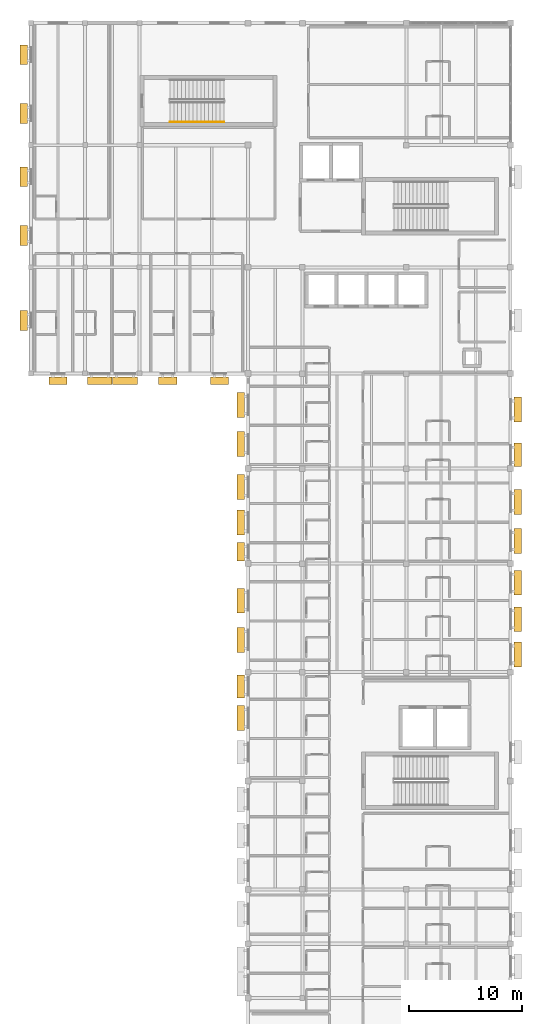
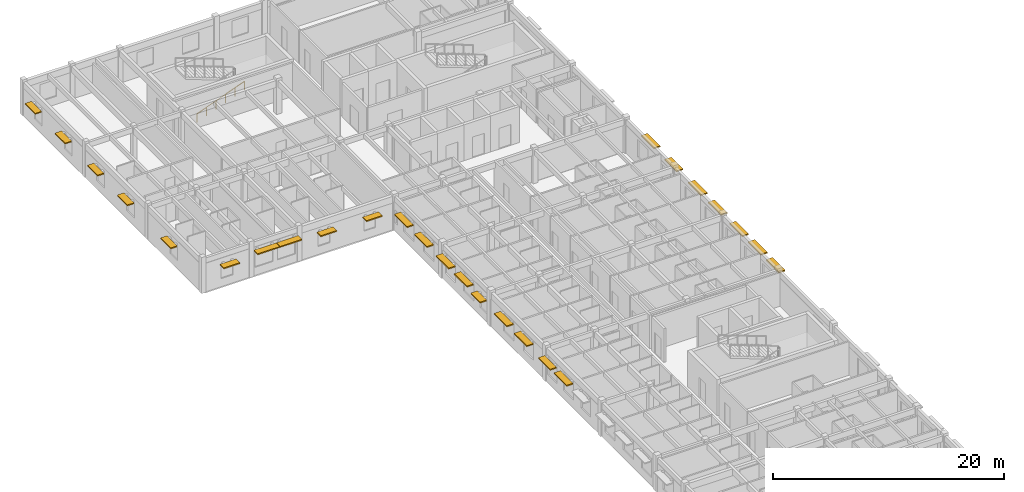
# One storey, part 19 of 20: 26 shading devices, 1 railing.
"""IFC4 building model written with IfcOpenShell, lengths in metres."""

from ifc_helpers import new_model, si_unit, direction, frame, origin, origin_2d, place, context, subcontext, project, spatial, rectangle, circle, extrude, material, type_object, element, save


model = new_model("IFC4")

# Units and contexts
model_context = context("Model", 3, precision=1e-05, world=origin(), true_north=direction((0.0, 1.0)))
body_context = subcontext(model_context, "Body", "Model", "MODEL_VIEW")
ifc_project = project(units=[si_unit("LENGTHUNIT", "METRE"), si_unit("AREAUNIT", "SQUARE_METRE"), si_unit("VOLUMEUNIT", "CUBIC_METRE"), si_unit("PLANEANGLEUNIT", "RADIAN"), si_unit("MASSUNIT", "GRAM", prefix="KILO")], contexts=[model_context])

# Site, building, storey
site_placement = place(None, origin())
site = spatial("IfcSite", under=ifc_project, at=site_placement, CompositionType="ELEMENT")
building_placement = place(site_placement, origin())
building = spatial("IfcBuilding", under=site, at=building_placement, Name="Veldera Park Congress Hotel", CompositionType="ELEMENT")
storey_placement = place(building_placement, frame((0.0, 0.0, 27.60009765625)))
storey = spatial("IfcBuildingStorey", under=building, at=storey_placement, Name="L06", CompositionType="ELEMENT", Elevation=27.60009765625)

# Railing
ifc_material_1 = material(Name="Steel ASTM A992 Gr.50", Category="steel")
railing_type = type_object("IfcRailingType", Name="HRL-920", PredefinedType="HANDRAIL", material=ifc_material_1)
railing_placement = place(storey_placement, frame((53.89990234375, 49.25, 0.12646484375)))
element("IfcRailing", 1, at=railing_placement, inside=storey, type_object=railing_type, Name="L06 ST3 stair handrail 1", PredefinedType="HANDRAIL", context=body_context, shape_type="SweptSolid", body=[
    extrude(circle(Radius=0.02392578125, at=origin_2d()), frame((0.0, 0.0, 0.89599609375), z_axis=(0.937075640343, 0.0, 0.349126401572), x_axis=(0.0, 1.0, 0.0)), (0.0, 0.0, 1.0), 5.07958984375),
    extrude(circle(Radius=0.02099609375, at=origin_2d()), origin(), (0.0, 0.0, 1.0), 0.871826171875),
    extrude(circle(Radius=0.02099609375, at=origin_2d()), frame((0.951904296875, 0.0, 0.354736328125)), (0.0, 0.0, 1.0), 0.871826171875),
    extrude(circle(Radius=0.02099609375, at=origin_2d()), frame((1.904052734375, 0.0, 0.70947265625)), (0.0, 0.0, 1.0), 0.871826171875),
    extrude(circle(Radius=0.02099609375, at=origin_2d()), frame((2.85595703125, 0.0, 1.06396484375)), (0.0, 0.0, 1.0), 0.871826171875),
    extrude(circle(Radius=0.02099609375, at=origin_2d()), frame((3.80810546875, 0.0, 1.418701171875)), (0.0, 0.0, 1.0), 0.871826171875),
    extrude(circle(Radius=0.02099609375, at=origin_2d()), frame((4.760009765625, 0.0, 1.7734375)), (0.0, 0.0, 1.0), 0.871826171875),
])

# Shading devices
ifc_material_2 = material(Name="Glulam GL28h (NDS 24F-V4)", Category="wood")
shading_device_type = type_object("IfcShadingDeviceType", Name="SHD-LVR300", PredefinedType="JALOUSIE", material=ifc_material_2)
for number, where, z_axis, x_axis, name in (
    (2, (40.965087890625, 55.184814453125, 2.519775390625), (0.0, 0.0, 1.0), (0.0, -1.0, 0.0), "Glulam Solar Shade 177"),
    (3, (40.965087890625, 50.000244140625, 2.519775390625), (0.0, 0.0, 1.0), (0.0, -1.0, 0.0), "Glulam Solar Shade 178"),
    (4, (40.965087890625, 44.39599609375, 2.519775390625), (0.0, 0.0, 1.0), (0.0, -1.0, 0.0), "Glulam Solar Shade 179"),
    (5, (40.965087890625, 39.2041015625, 2.519775390625), (0.0, 0.0, 1.0), (0.0, -1.0, 0.0), "Glulam Solar Shade 180"),
    (6, (40.965087890625, 31.70751953125, 2.519775390625), (0.0, 0.0, 1.0), (0.0, -1.0, 0.0), "Glulam Solar Shade 181"),
):
    element("IfcShadingDevice", number, at=place(storey_placement, frame(where, z_axis=z_axis, x_axis=x_axis)), inside=storey, type_object=shading_device_type, Name=name, PredefinedType="JALOUSIE", context=body_context, shape_type="SweptSolid", body=[
        extrude(rectangle(XDim=1.75, YDim=0.64990234375, at=origin_2d()), origin(), (0.0, 0.0, 1.0), 0.1201171875),
    ])
for number, where, z_axis, x_axis, name in (
    (7, (44.0, 26.364990234375, 2.419921875), (0.0, 0.0, 1.0), (1.0, 0.0, 0.0), "Glulam Solar Shade 182"),
    (8, (53.70263671875, 26.364990234375, 2.419921875), (0.0, 0.0, 1.0), (1.0, 0.0, 0.0), "Glulam Solar Shade 183"),
    (9, (58.26220703125, 26.364990234375, 2.419921875), (0.0, 0.0, 1.0), (1.0, 0.0, 0.0), "Glulam Solar Shade 184"),
):
    element("IfcShadingDevice", number, at=place(storey_placement, frame(where, z_axis=z_axis, x_axis=x_axis)), inside=storey, type_object=shading_device_type, Name=name, PredefinedType="JALOUSIE", context=body_context, shape_type="SweptSolid", body=[
        extrude(rectangle(XDim=1.60009765625, YDim=0.64990234375, at=origin_2d()), origin(), (0.0, 0.0, 1.0), 0.1201171875),
    ])
shading_device_1_placement = place(storey_placement, frame((60.1650390625, -3.4599609375, 2.7197265625), z_axis=(0.0, 0.0, 1.0), x_axis=(0.0, -1.0, 0.0)))
element("IfcShadingDevice", 10, at=shading_device_1_placement, inside=storey, type_object=shading_device_type, Name="Glulam Solar Shade 432", PredefinedType="JALOUSIE", context=body_context, shape_type="SweptSolid", body=[
    extrude(rectangle(XDim=2.199951171875, YDim=0.64990234375, at=origin_2d()), origin(), (0.0, 0.0, 1.0), 0.1201171875),
])
shading_device_2_placement = place(storey_placement, frame((60.1650390625, -0.6640625, 2.669921875), z_axis=(0.0, 0.0, 1.0), x_axis=(0.0, -1.0, 0.0)))
element("IfcShadingDevice", 11, at=shading_device_2_placement, inside=storey, type_object=shading_device_type, Name="Glulam Solar Shade 433", PredefinedType="JALOUSIE", context=body_context, shape_type="SweptSolid", body=[
    extrude(rectangle(XDim=2.050048828125, YDim=0.64990234375, at=origin_2d()), origin(), (0.0, 0.0, 1.0), 0.1201171875),
])
for number, where, z_axis, x_axis, name in (
    (12, (60.1650390625, 3.4599609375, 2.7197265625), (0.0, 0.0, 1.0), (0.0, -1.0, 0.0), "Glulam Solar Shade 434"),
    (13, (60.1650390625, 6.919921875, 2.7197265625), (0.0, 0.0, 1.0), (0.0, -1.0, 0.0), "Glulam Solar Shade 435"),
):
    element("IfcShadingDevice", number, at=place(storey_placement, frame(where, z_axis=z_axis, x_axis=x_axis)), inside=storey, type_object=shading_device_type, Name=name, PredefinedType="JALOUSIE", context=body_context, shape_type="SweptSolid", body=[
        extrude(rectangle(XDim=2.199951171875, YDim=0.64990234375, at=origin_2d()), origin(), (0.0, 0.0, 1.0), 0.1201171875),
    ])
shading_device_3_placement = place(storey_placement, frame((60.1650390625, 11.25390625, 2.419921875), z_axis=(0.0, 0.0, 1.0), x_axis=(0.0, -1.0, 0.0)))
element("IfcShadingDevice", 14, at=shading_device_3_placement, inside=storey, type_object=shading_device_type, Name="Glulam Solar Shade 436", PredefinedType="JALOUSIE", context=body_context, shape_type="SweptSolid", body=[
    extrude(rectangle(XDim=1.60009765625, YDim=0.64990234375, at=origin_2d()), origin(), (0.0, 0.0, 1.0), 0.1201171875),
])
for number, where, z_axis, x_axis, name in (
    (15, (60.1650390625, 13.840087890625, 2.7197265625), (0.0, 0.0, 1.0), (0.0, -1.0, 0.0), "Glulam Solar Shade 437"),
    (16, (60.1650390625, 16.986083984375, 2.7197265625), (0.0, 0.0, 1.0), (0.0, -1.0, 0.0), "Glulam Solar Shade 438"),
    (17, (60.1650390625, 20.760009765625, 2.7197265625), (0.0, 0.0, 1.0), (0.0, -1.0, 0.0), "Glulam Solar Shade 439"),
    (18, (60.1650390625, 24.219970703125, 2.7197265625), (0.0, 0.0, 1.0), (0.0, -1.0, 0.0), "Glulam Solar Shade 440"),
    (19, (84.635009765625, 2.174072265625, 2.7197265625), (0.0, 0.0, 1.0), (0.0, 1.0, 0.0), "Glulam Solar Shade 447"),
    (20, (84.635009765625, 5.280029296875, 2.7197265625), (0.0, 0.0, 1.0), (0.0, 1.0, 0.0), "Glulam Solar Shade 448"),
    (21, (84.635009765625, 8.506103515625, 2.7197265625), (0.0, 0.0, 1.0), (0.0, 1.0, 0.0), "Glulam Solar Shade 449"),
    (22, (84.635009765625, 12.199951171875, 2.7197265625), (0.0, 0.0, 1.0), (0.0, 1.0, 0.0), "Glulam Solar Shade 450"),
    (23, (84.635009765625, 15.659912109375, 2.7197265625), (0.0, 0.0, 1.0), (0.0, 1.0, 0.0), "Glulam Solar Shade 451"),
):
    element("IfcShadingDevice", number, at=place(storey_placement, frame(where, z_axis=z_axis, x_axis=x_axis)), inside=storey, type_object=shading_device_type, Name=name, PredefinedType="JALOUSIE", context=body_context, shape_type="SweptSolid", body=[
        extrude(rectangle(XDim=2.199951171875, YDim=0.64990234375, at=origin_2d()), origin(), (0.0, 0.0, 1.0), 0.1201171875),
    ])
shading_device_4_placement = place(storey_placement, frame((84.635009765625, 19.823974609375, 2.669921875), z_axis=(0.0, 0.0, 1.0), x_axis=(0.0, 1.0, 0.0)))
element("IfcShadingDevice", 24, at=shading_device_4_placement, inside=storey, type_object=shading_device_type, Name="Glulam Solar Shade 452", PredefinedType="JALOUSIE", context=body_context, shape_type="SweptSolid", body=[
    extrude(rectangle(XDim=2.050048828125, YDim=0.64990234375, at=origin_2d()), origin(), (0.0, 0.0, 1.0), 0.1201171875),
])
for number, where, z_axis, x_axis, name in (
    (25, (84.635009765625, 23.825927734375, 2.7197265625), (0.0, 0.0, 1.0), (0.0, 1.0, 0.0), "Glulam Solar Shade 453"),
    (26, (47.6865234375, 26.364990234375, 2.7197265625), (0.0, 0.0, 1.0), (1.0, 0.0, 0.0), "Glulam Solar Shade 454"),
    (27, (49.923583984375, 26.364990234375, 2.7197265625), (0.0, 0.0, 1.0), (1.0, 0.0, 0.0), "Glulam Solar Shade 455"),
):
    element("IfcShadingDevice", number, at=place(storey_placement, frame(where, z_axis=z_axis, x_axis=x_axis)), inside=storey, type_object=shading_device_type, Name=name, PredefinedType="JALOUSIE", context=body_context, shape_type="SweptSolid", body=[
        extrude(rectangle(XDim=2.199951171875, YDim=0.64990234375, at=origin_2d()), origin(), (0.0, 0.0, 1.0), 0.1201171875),
    ])

save(model, "model.ifc")
